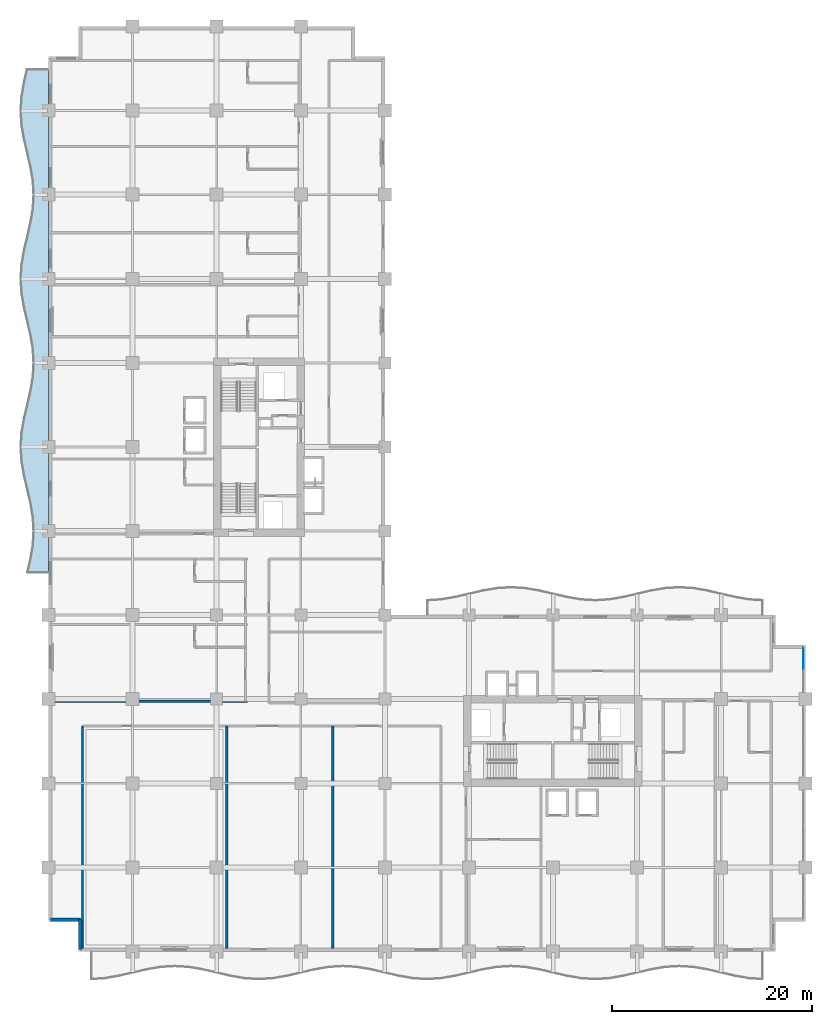
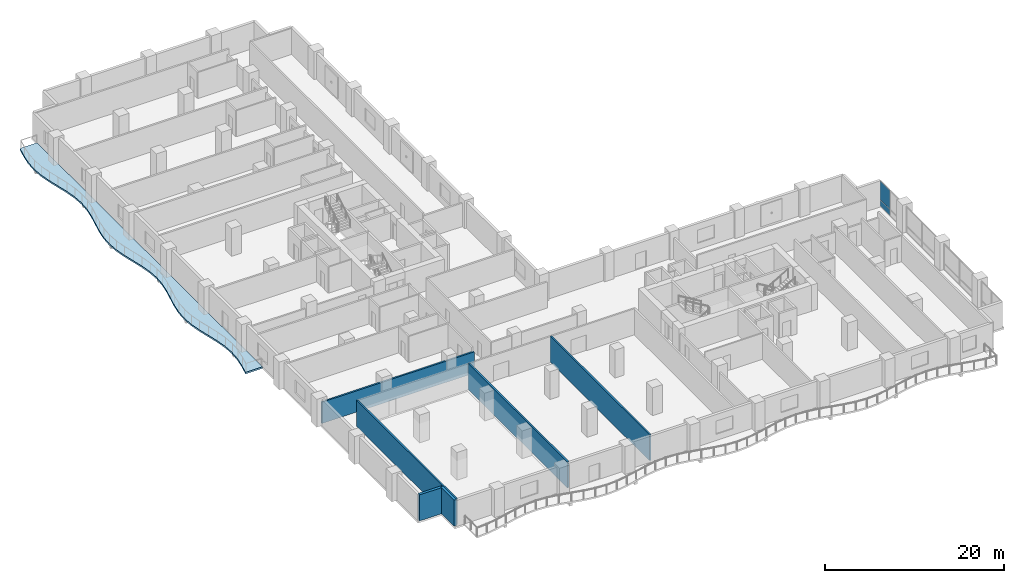
# One storey, part 8 of 24: 6 walls, 2 plates, 1 slab, 1 element without a shape of its own.
"""IFC4 building model written with IfcOpenShell, lengths in metres."""

from ifc_helpers import new_model, si_unit, direction, frame, frame_2d, origin, origin_2d, place, context, subcontext, project, spatial, polyline, rectangle, outline, extrude, material, layer, layer_set, type_object, element, aggregate, save


model = new_model("IFC4")

# Units and contexts
model_context = context("Model", 3, precision=1e-05, world=origin(), true_north=direction((0.0, 1.0)))
body_context = subcontext(model_context, "Body", "Model", "MODEL_VIEW")
ifc_project = project(units=[si_unit("LENGTHUNIT", "METRE"), si_unit("AREAUNIT", "SQUARE_METRE"), si_unit("VOLUMEUNIT", "CUBIC_METRE"), si_unit("PLANEANGLEUNIT", "RADIAN"), si_unit("MASSUNIT", "GRAM", prefix="KILO")], contexts=[model_context])

# Site, building, storey
site_placement = place(None, origin())
site = spatial("IfcSite", under=ifc_project, at=site_placement, CompositionType="ELEMENT")
building_placement = place(site_placement, origin())
building = spatial("IfcBuilding", under=site, at=building_placement, Name="Koriwani Terraces Tower", CompositionType="ELEMENT")
storey_placement = place(building_placement, frame((0.0, 0.0, 149.39990234375)))
storey = spatial("IfcBuildingStorey", under=building, at=storey_placement, Name="L36", CompositionType="ELEMENT", Elevation=149.39990234375)

# Curtain wall, plates
ifc_material_1 = material(Name="Anodised Bronze Aluminium", Category="aluminium")
ifc_layer_1 = layer(ifc_material_1, 0.179931640625, Name="Anodised Bronze Aluminium")
ifc_layer_set_1 = layer_set([ifc_layer_1], Name="Anodised Bronze Aluminium")
curtain_wall_type = type_object("IfcCurtainWallType", Name="CW_HOTEL_ZONE2", PredefinedType="NOTDEFINED", material=ifc_layer_set_1)
curtain_wall_placement = place(storey_placement, origin())
curtain_wall = element("IfcCurtainWall", 1, at=curtain_wall_placement, inside=storey, type_object=curtain_wall_type, Name="L36 Unitised Curtain Wall (E_TIP) Bay 1", PredefinedType="NOTDEFINED")
ifc_material_2 = material(Name="Tempered Laminated Low-E Glass", Category="glass")
ifc_layer_2 = layer(ifc_material_2, 0.028076171875, Name="Tempered Laminated Low-E Glass")
ifc_layer_set_2 = layer_set([ifc_layer_2], Name="Tempered Laminated Low-E Glass")
plate_type = type_object("IfcPlateType", Name="CW_PANEL_VISION_28", PredefinedType="CURTAIN_PANEL", material=ifc_layer_set_2)
plate_1_placement = place(storey_placement, frame((75.425048828125, 29.277587890625, 0.06494140625), z_axis=(0.0, 0.0, 1.0), x_axis=(0.0, -1.0, 0.0)))
plate_1 = element("IfcPlate", 2, at=plate_1_placement, type_object=plate_type, Name="CW-Z2 panel 1.1", PredefinedType="CURTAIN_PANEL", context=body_context, shape_type="SweptSolid", body=[
    extrude(rectangle(XDim=2.14501953125, YDim=0.028076171875, at=origin_2d()), origin(), (0.0, 0.0, 1.0), 0.802490234375),
])
plate_2_placement = place(storey_placement, frame((75.425048828125, 29.277587890625, 0.9326171875), z_axis=(0.0, 0.0, 1.0), x_axis=(0.0, -1.0, 0.0)))
plate_2 = element("IfcPlate", 3, at=plate_2_placement, type_object=plate_type, Name="CW-Z2 panel 1.2", PredefinedType="CURTAIN_PANEL", context=body_context, shape_type="SweptSolid", body=[
    extrude(rectangle(XDim=2.14501953125, YDim=0.028076171875, at=origin_2d()), origin(), (0.0, 0.0, 1.0), 2.552490234375),
])
aggregate(curtain_wall, [plate_1, plate_2])

# Slab
ifc_material_3 = material(Name="Concrete C40/50", Category="concrete")
ifc_layer_3 = layer(ifc_material_3, 0.219970703125, Name="Concrete C40/50")
ifc_layer_set_3 = layer_set([ifc_layer_3], Name="Concrete C40/50")
slab_type = type_object("IfcSlabType", Name="SLAB_BALCONY_220", PredefinedType="FLOOR", material=ifc_layer_set_3)
slab_placement = place(storey_placement, frame((0.0, 0.0, -0.219970703125)))
element("IfcSlab", 4, at=slab_placement, inside=storey, type_object=slab_type, Name="L36 Quilted Circular-Arc Balcony (W)", PredefinedType="FLOOR", context=body_context, shape_type="SweptSolid", body=[
    extrude(outline(polyline([(0.0, 37.800048828125), (0.0, 39.199951171875), (0.0, 40.60009765625), (0.0, 42.0), (0.0, 43.39990234375), (0.0, 44.800048828125), (0.0, 46.199951171875), (0.0, 47.60009765625), (0.0, 49.0), (0.0, 50.39990234375), (0.0, 51.800048828125), (0.0, 53.199951171875), (0.0, 54.60009765625), (0.0, 56.0), (0.0, 57.39990234375), (0.0, 58.800048828125), (0.0, 60.199951171875), (0.0, 61.60009765625), (0.0, 63.0), (0.0, 64.39990234375), (0.0, 65.800048828125), (0.0, 67.199951171875), (0.0, 68.60009765625), (0.0, 70.0), (0.0, 71.39990234375), (0.0, 72.800048828125), (0.0, 74.199951171875), (0.0, 75.60009765625), (0.0, 77.0), (0.0, 78.39990234375), (0.0, 79.800048828125), (0.0, 81.199951171875), (0.0, 82.60009765625), (0.0, 84.0), (0.0, 85.39990234375), (0.0, 86.800048828125), (0.0, 88.199951171875), (-2.199951171875, 88.199951171875), (-2.52490234375, 86.800048828125), (-2.762939453125, 85.39990234375), (-2.85009765625, 84.0), (-2.762939453125, 82.60009765625), (-2.52490234375, 81.199951171875), (-2.199951171875, 79.800048828125), (-1.875, 78.39990234375), (-1.63720703125, 77.0), (-1.550048828125, 75.60009765625), (-1.63720703125, 74.199951171875), (-1.875, 72.800048828125), (-2.199951171875, 71.39990234375), (-2.52490234375, 70.0), (-2.762939453125, 68.60009765625), (-2.85009765625, 67.199951171875), (-2.762939453125, 65.800048828125), (-2.52490234375, 64.39990234375), (-2.199951171875, 63.0), (-1.875, 61.60009765625), (-1.63720703125, 60.199951171875), (-1.550048828125, 58.800048828125), (-1.63720703125, 57.39990234375), (-1.875, 56.0), (-2.199951171875, 54.60009765625), (-2.52490234375, 53.199951171875), (-2.762939453125, 51.800048828125), (-2.85009765625, 50.39990234375), (-2.762939453125, 49.0), (-2.52490234375, 47.60009765625), (-2.199951171875, 46.199951171875), (-1.875, 44.800048828125), (-1.63720703125, 43.39990234375), (-1.550048828125, 42.0), (-1.63720703125, 40.60009765625), (-1.875, 39.199951171875), (-2.199951171875, 37.800048828125), (0.0, 37.800048828125)])), origin(), (0.0, 0.0, 1.0), 0.219970703125),
])

# Walls
ifc_material_4 = material(Name="Autoclaved Cellular Concrete Blockwork", Category="masonry")
ifc_layer_4 = layer(ifc_material_4, 0.219970703125, Name="Autoclaved Cellular Concrete Blockwork")
ifc_layer_set_4 = layer_set([ifc_layer_4], Name="Autoclaved Cellular Concrete Blockwork")
wall_type_1 = type_object("IfcWallType", Name="WALL_DEMISING_220", PredefinedType="PARTITIONING", material=ifc_layer_set_4)
for number, where, z_axis, x_axis, name in (
    (5, (3.39990234375, 0.300048828125, 0.0), (0.0, 0.0, 1.0), (0.0, 1.0, 0.0), "L36 Interior Wall WC2CLBW0-L36"),
    (6, (17.800048828125, 0.300048828125, 0.0), (0.0, 0.0, 1.0), (0.0, 1.0, 0.0), "L36 Interior Wall WC2CLBW-L36"),
    (7, (28.39990234375, 0.300048828125, 0.0), (0.0, 0.0, 1.0), (0.0, 1.0, 0.0), "L36 Interior Wall WC2CLBM-L36"),
):
    element("IfcWall", number, at=place(storey_placement, frame(where, z_axis=z_axis, x_axis=x_axis)), inside=storey, type_object=wall_type_1, Name=name, PredefinedType="PARTITIONING", context=body_context, shape_type="SweptSolid", body=[
        extrude(rectangle(XDim=22.199951171875, YDim=0.219970703125, at=frame_2d((11.10009765625, 0.0))), origin(), (0.0, 0.0, 1.0), 3.550048828125),
    ])
wall_placement = place(storey_placement, frame((0.199951171875, 25.0, 0.0), z_axis=(0.0, 0.0, 1.0), x_axis=(1.0, 0.0, 0.0)))
element("IfcWall", 8, at=wall_placement, inside=storey, type_object=wall_type_1, Name="L36 Interior Wall WDEM-L36-NW-0", PredefinedType="PARTITIONING", context=body_context, shape_type="SweptSolid", body=[
    extrude(rectangle(XDim=19.679931640625, YDim=0.219970703125, at=frame_2d((9.83984375, 0.0))), origin(), (0.0, 0.0, 1.0), 2.900146484375),
])
ifc_material_5 = material(Name="Concrete C50/60", Category="concrete")
ifc_layer_5 = layer(ifc_material_5, 0.35009765625, Name="Concrete C50/60")
ifc_layer_set_5 = layer_set([ifc_layer_5], Name="Concrete C50/60")
wall_type_2 = type_object("IfcWallType", Name="WALL_EXT_BRUTALIST_350", PredefinedType="STANDARD", material=ifc_layer_set_5)
for number, where, z_axis, x_axis, name in (
    (9, (3.175048828125, 0.175048828125, 0.0), (0.0, 0.0, 1.0), (0.0, 1.0, 0.0), "L36 Fair-Faced Brutalist Exterior Wall (N0)"),
    (10, (3.175048828125, 3.175048828125, 0.0), (0.0, 0.0, 1.0), (-1.0, 0.0, 0.0), "L36 Fair-Faced Brutalist Exterior Wall (N1)"),
):
    element("IfcWall", number, at=place(storey_placement, frame(where, z_axis=z_axis, x_axis=x_axis)), inside=storey, type_object=wall_type_2, Name=name, PredefinedType="STANDARD", context=body_context, shape_type="SweptSolid", body=[
        extrude(rectangle(XDim=3.0, YDim=0.35009765625, at=frame_2d((1.5, 0.0))), origin(), (0.0, 0.0, 1.0), 3.550048828125),
    ])

save(model, "model.ifc")
